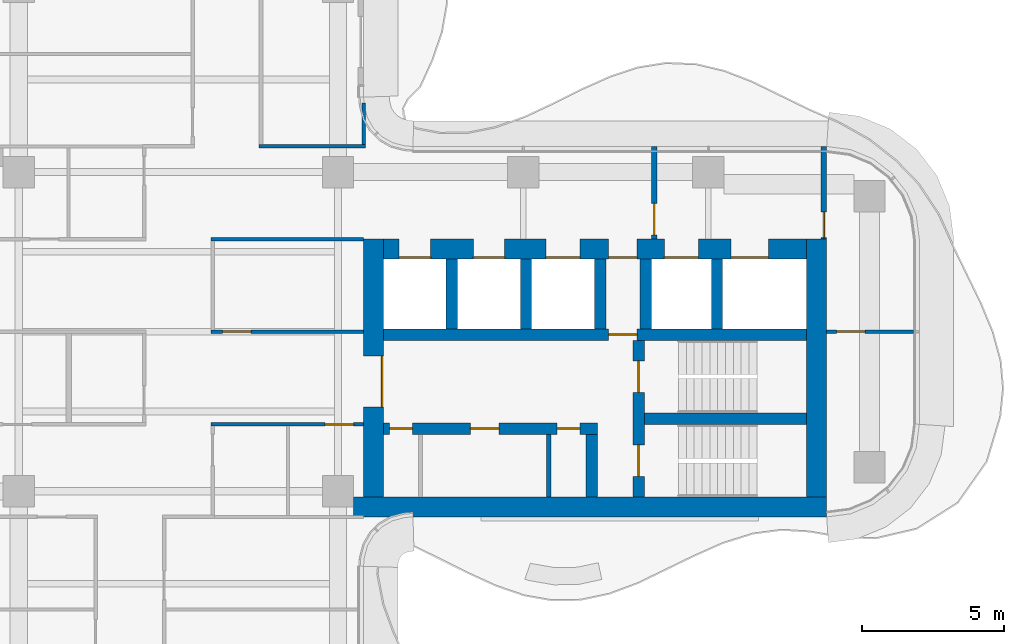
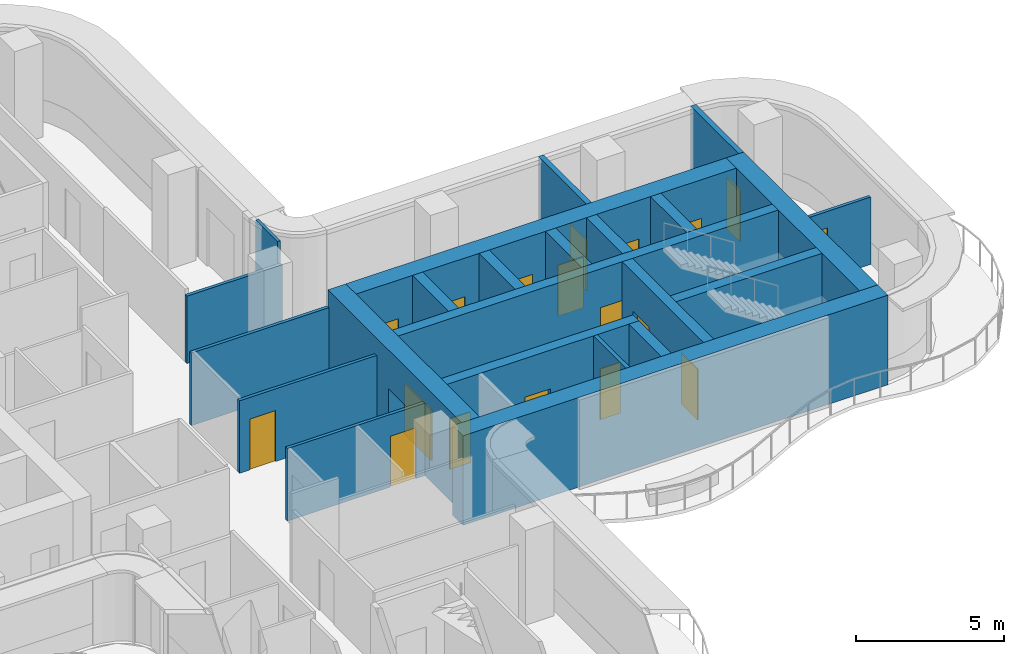
# One storey, part 13 of 16: 23 walls, 18 doors, 18 openings.
"""IFC4 building model written with IfcOpenShell, lengths in metres."""

from ifc_helpers import new_model, si_unit, direction, frame, frame_2d, origin, place, context, subcontext, project, spatial, rectangle, extrude, source, transform, mapped, material, layer, layer_set, type_object, element, fill, save


model = new_model("IFC4")

# Units and contexts
model_context = context("Model", 3, precision=1e-05, world=origin(), true_north=direction((0.0, 1.0)))
body_context = subcontext(model_context, "Body", "Model", "MODEL_VIEW")
ifc_project = project(units=[si_unit("LENGTHUNIT", "METRE"), si_unit("AREAUNIT", "SQUARE_METRE"), si_unit("VOLUMEUNIT", "CUBIC_METRE"), si_unit("PLANEANGLEUNIT", "RADIAN"), si_unit("MASSUNIT", "GRAM", prefix="KILO")], contexts=[model_context])

# Site, building, storey
site_placement = place(None, origin())
site = spatial("IfcSite", under=ifc_project, at=site_placement, CompositionType="ELEMENT")
building_placement = place(site_placement, origin())
building = spatial("IfcBuilding", under=site, at=building_placement, Name="Trellis Farm Tower", CompositionType="ELEMENT")
storey_placement = place(building_placement, frame((0.0, 0.0, 255.800048828125)))
storey = spatial("IfcBuildingStorey", under=building, at=storey_placement, Name="L57", CompositionType="ELEMENT", Elevation=255.800048828125)

# Wall, opening, door
ifc_material_1 = material(Name="Concrete C60/75", Category="concrete")
ifc_layer_1 = layer(ifc_material_1, 0.699951171875)
ifc_layer_set_1 = layer_set([ifc_layer_1], Name="CORE OUTER WALL 700 CONCRETE C60/75")
wall_type_1 = type_object("IfcWallType", Name="CORE OUTER WALL 700 CONCRETE C60/75", PredefinedType="SHEAR", material=ifc_layer_set_1)
shared_shape_1 = source(origin(), body_context, "Body", "SweptSolid", [
    extrude(rectangle(XDim=9.050048828125, YDim=0.699951171875, at=frame_2d((4.52490234375, 0.0))), origin(), (0.0, 0.0, 1.0), 3.699951171875),
])
wall_1_placement = place(storey_placement, frame((6.85009765625, -5.800048828125, 0.0), z_axis=(0.0, 0.0, 1.0), x_axis=(0.0, 1.0, 0.0)))
wall_1 = element("IfcWall", 1, at=wall_1_placement, inside=storey, type_object=wall_type_1, Name="Core wall", PredefinedType="SHEAR", context=body_context, shape_type="MappedRepresentation", body=[
    mapped(shared_shape_1, transform((0.0, 0.0, 0.0))),
])
shared_shape_2 = source(origin(), body_context, "Body", "SweptSolid", [
    extrude(rectangle(XDim=1.800048828125, YDim=2.10009765625, at=frame_2d((0.89990234375, 1.050048828125))), frame((0.0, 0.360107421875, 0.0), z_axis=(0.0, -1.0, 0.0), x_axis=(1.0, 0.0, 0.0)), (0.0, 0.0, 1.0), 0.72021484375),
])
opening_1_placement = place(wall_1_placement, frame((3.14990234375, 0.0, 0.0)))
opening_1 = element("IfcOpeningElement", 2, at=opening_1_placement, cuts=wall_1, Name="Opening DC1", PredefinedType="OPENING", context=body_context, shape_type="MappedRepresentation", body=[
    mapped(shared_shape_2, transform((0.0, 0.0, 0.0))),
])
ifc_material_2 = material(Name="Steel", Category="steel")
door_type_1 = type_object("IfcDoorType", Name="CORE FIRE DOOR DOUBLE 1800 X 2100", OperationType="DOUBLE_DOOR_SINGLE_SWING", PredefinedType="DOOR", material=ifc_material_2)
shared_shape_3 = source(origin(), body_context, "Body", "SweptSolid", [
    extrude(rectangle(XDim=1.800048828125, YDim=2.10009765625, at=frame_2d((0.89990234375, 1.050048828125))), frame((0.0, -0.27490234375, 0.0), z_axis=(0.0, -1.0, 0.0), x_axis=(1.0, 0.0, 0.0)), (0.0, 0.0, 1.0), 0.050048828125),
])
door_1_placement = place(opening_1_placement, origin())
door_1 = element("IfcDoor", 3, at=door_1_placement, inside=storey, type_object=door_type_1, Name="Core door", OperationType="DOUBLE_DOOR_SINGLE_SWING", OverallHeight=2.10009765625, OverallWidth=1.800048828125, PredefinedType="DOOR", context=body_context, shape_type="MappedRepresentation", body=[
    mapped(shared_shape_3, transform((0.0, 0.0, 0.0))),
])
fill(opening_1, door_1)

# Walls
wall_2_placement = place(storey_placement, frame((22.39990234375, -5.800048828125, 0.0), z_axis=(0.0, 0.0, 1.0), x_axis=(0.0, 1.0, 0.0)))
element("IfcWall", 4, at=wall_2_placement, inside=storey, type_object=wall_type_1, Name="Core wall", PredefinedType="SHEAR", context=body_context, shape_type="MappedRepresentation", body=[
    mapped(shared_shape_1, transform((0.0, 0.0, 0.0))),
])
ifc_layer_2 = layer(ifc_material_1, 0.39990234375)
ifc_layer_set_2 = layer_set([ifc_layer_2], Name="CORE INNER WALL 400 CONCRETE C60/75")
wall_type_2 = type_object("IfcWallType", Name="CORE INNER WALL 400 CONCRETE C60/75", PredefinedType="SHEAR", material=ifc_layer_set_2)
shared_shape_4 = source(origin(), body_context, "Body", "SweptSolid", [
    extrude(rectangle(XDim=2.449951171875, YDim=0.39990234375, at=frame_2d((1.22509765625, 0.0))), origin(), (0.0, 0.0, 1.0), 3.699951171875),
])
for number, where, z_axis, x_axis, name in (
    (5, (9.60009765625, 0.10009765625, 0.0), (0.0, 0.0, 1.0), (0.0, 1.0, 0.0), "Core wall"),
    (6, (12.199951171875, 0.10009765625, 0.0), (0.0, 0.0, 1.0), (0.0, 1.0, 0.0), "Core wall"),
    (7, (14.800048828125, 0.10009765625, 0.0), (0.0, 0.0, 1.0), (0.0, 1.0, 0.0), "Core wall"),
    (8, (16.39990234375, 0.10009765625, 0.0), (0.0, 0.0, 1.0), (0.0, 1.0, 0.0), "Core wall"),
    (9, (18.89990234375, 0.10009765625, 0.0), (0.0, 0.0, 1.0), (0.0, 1.0, 0.0), "Core wall"),
):
    element("IfcWall", number, at=place(storey_placement, frame(where, z_axis=z_axis, x_axis=x_axis)), inside=storey, type_object=wall_type_2, Name=name, PredefinedType="SHEAR", context=body_context, shape_type="MappedRepresentation", body=[
        mapped(shared_shape_4, transform((0.0, 0.0, 0.0))),
    ])

# Wall, opening, door
ifc_material_3 = material(Name="Masonry blockwork", Category="masonry")
ifc_layer_3 = layer(ifc_material_3, 0.199951171875)
ifc_layer_set_3 = layer_set([ifc_layer_3], Name="FIRE LOBBY PARTITION 200 BLOCKWORK")
wall_type_3 = type_object("IfcWallType", Name="FIRE LOBBY PARTITION 200 BLOCKWORK", PredefinedType="PARTITIONING", material=ifc_layer_set_3)
shared_shape_5 = source(origin(), body_context, "Body", "SweptSolid", [
    extrude(rectangle(XDim=3.25, YDim=0.199951171875, at=frame_2d((1.625, 0.0))), origin(), (0.0, 0.0, 1.0), 3.699951171875),
])
wall_3_placement = place(storey_placement, frame((16.699951171875, 3.25, 0.0), z_axis=(0.0, 0.0, 1.0), x_axis=(0.0, 1.0, 0.0)))
wall_3 = element("IfcWall", 10, at=wall_3_placement, inside=storey, type_object=wall_type_3, Name="Fire-fighting lobby partition", PredefinedType="PARTITIONING", context=body_context, shape_type="MappedRepresentation", body=[
    mapped(shared_shape_5, transform((0.0, 0.0, 0.0))),
])
shared_shape_6 = source(origin(), body_context, "Body", "SweptSolid", [
    extrude(rectangle(XDim=1.10009765625, YDim=2.10009765625, at=frame_2d((0.550048828125, 1.050048828125))), frame((0.0, 0.110107421875, 0.0), z_axis=(0.0, -1.0, 0.0), x_axis=(1.0, 0.0, 0.0)), (0.0, 0.0, 1.0), 0.22021484375),
])
opening_2_placement = place(wall_3_placement, frame((0.14990234375, 0.0, 0.0)))
opening_2 = element("IfcOpeningElement", 11, at=opening_2_placement, cuts=wall_3, Name="Opening DC7", PredefinedType="OPENING", context=body_context, shape_type="MappedRepresentation", body=[
    mapped(shared_shape_6, transform((0.0, 0.0, 0.0))),
])
door_type_2 = type_object("IfcDoorType", Name="CORE FIRE DOOR 1100 X 2100", OperationType="NOTDEFINED", PredefinedType="DOOR", material=ifc_material_2)
shared_shape_7 = source(origin(), body_context, "Body", "SweptSolid", [
    extrude(rectangle(XDim=1.10009765625, YDim=2.10009765625, at=frame_2d((0.550048828125, 1.050048828125))), frame((0.0, 0.02490234375, 0.0), z_axis=(0.0, -1.0, 0.0), x_axis=(1.0, 0.0, 0.0)), (0.0, 0.0, 1.0), 0.050048828125),
])
door_2_placement = place(opening_2_placement, origin())
door_2 = element("IfcDoor", 12, at=door_2_placement, inside=storey, type_object=door_type_2, Name="Core door", OperationType="SINGLE_SWING_RIGHT", OverallHeight=2.10009765625, OverallWidth=1.10009765625, PredefinedType="DOOR", context=body_context, shape_type="MappedRepresentation", body=[
    mapped(shared_shape_7, transform((0.0, 0.0, 0.0))),
])
fill(opening_2, door_2)

wall_4_placement = place(storey_placement, frame((22.64990234375, 3.25, 0.0), z_axis=(0.0, 0.0, 1.0), x_axis=(0.0, 1.0, 0.0)))
wall_4 = element("IfcWall", 13, at=wall_4_placement, inside=storey, type_object=wall_type_3, Name="Fire-fighting lobby partition", PredefinedType="PARTITIONING", context=body_context, shape_type="MappedRepresentation", body=[
    mapped(shared_shape_5, transform((0.0, 0.0, 0.0))),
])
shared_shape_8 = source(origin(), body_context, "Body", "SweptSolid", [
    extrude(rectangle(XDim=0.89990234375, YDim=2.10009765625, at=frame_2d((0.449951171875, 1.050048828125))), frame((0.0, 0.110107421875, 0.0), z_axis=(0.0, -1.0, 0.0), x_axis=(1.0, 0.0, 0.0)), (0.0, 0.0, 1.0), 0.22021484375),
])
opening_3_placement = place(wall_4_placement, frame((0.050048828125, 0.0, 0.0)))
opening_3 = element("IfcOpeningElement", 14, at=opening_3_placement, cuts=wall_4, Name="Opening DC8", PredefinedType="OPENING", context=body_context, shape_type="MappedRepresentation", body=[
    mapped(shared_shape_8, transform((0.0, 0.0, 0.0))),
])
door_type_3 = type_object("IfcDoorType", Name="CORE FIRE DOOR 900 X 2100", OperationType="NOTDEFINED", PredefinedType="DOOR", material=ifc_material_2)
shared_shape_9 = source(origin(), body_context, "Body", "SweptSolid", [
    extrude(rectangle(XDim=0.89990234375, YDim=2.10009765625, at=frame_2d((0.449951171875, 1.050048828125))), frame((0.0, 0.02490234375, 0.0), z_axis=(0.0, -1.0, 0.0), x_axis=(1.0, 0.0, 0.0)), (0.0, 0.0, 1.0), 0.050048828125),
])
door_3_placement = place(opening_3_placement, origin())
door_3 = element("IfcDoor", 15, at=door_3_placement, inside=storey, type_object=door_type_3, Name="Core door", OperationType="SINGLE_SWING_RIGHT", OverallHeight=2.10009765625, OverallWidth=0.89990234375, PredefinedType="DOOR", context=body_context, shape_type="MappedRepresentation", body=[
    mapped(shared_shape_9, transform((0.0, 0.0, 0.0))),
])
fill(opening_3, door_3)

# Wall, openings, doors
shared_shape_10 = source(origin(), body_context, "Body", "SweptSolid", [
    extrude(rectangle(XDim=14.85009765625, YDim=0.699951171875, at=frame_2d((7.425048828125, 0.0))), origin(), (0.0, 0.0, 1.0), 3.699951171875),
])
wall_5_placement = place(storey_placement, frame((7.199951171875, 2.89990234375, 0.0), z_axis=(0.0, 0.0, 1.0), x_axis=(1.0, 0.0, 0.0)))
wall_5 = element("IfcWall", 16, at=wall_5_placement, inside=storey, type_object=wall_type_1, Name="Core wall", PredefinedType="SHEAR", context=body_context, shape_type="MappedRepresentation", body=[
    mapped(shared_shape_10, transform((0.0, 0.0, 0.0))),
])
shared_shape_11 = source(origin(), body_context, "Body", "SweptSolid", [
    extrude(rectangle(XDim=1.10009765625, YDim=2.10009765625, at=frame_2d((0.550048828125, 1.050048828125))), frame((0.0, 0.360107421875, 0.0), z_axis=(0.0, -1.0, 0.0), x_axis=(1.0, 0.0, 0.0)), (0.0, 0.0, 1.0), 0.72021484375),
])
opening_4_placement = place(wall_5_placement, frame((0.550048828125, 0.0, 0.0)))
opening_4 = element("IfcOpeningElement", 17, at=opening_4_placement, cuts=wall_5, Name="Opening LD4", PredefinedType="OPENING", context=body_context, shape_type="MappedRepresentation", body=[
    mapped(shared_shape_11, transform((0.0, 0.0, 0.0))),
])
opening_5_placement = place(wall_5_placement, frame((3.14990234375, 0.0, 0.0)))
opening_5 = element("IfcOpeningElement", 18, at=opening_5_placement, cuts=wall_5, Name="Opening LD5", PredefinedType="OPENING", context=body_context, shape_type="MappedRepresentation", body=[
    mapped(shared_shape_11, transform((0.0, 0.0, 0.0))),
])
shared_shape_12 = source(origin(), body_context, "Body", "SweptSolid", [
    extrude(rectangle(XDim=1.199951171875, YDim=2.10009765625, at=frame_2d((0.60009765625, 1.050048828125))), frame((0.0, 0.360107421875, 0.0), z_axis=(0.0, -1.0, 0.0), x_axis=(1.0, 0.0, 0.0)), (0.0, 0.0, 1.0), 0.72021484375),
])
opening_6_placement = place(wall_5_placement, frame((5.699951171875, 0.0, 0.0)))
opening_6 = element("IfcOpeningElement", 19, at=opening_6_placement, cuts=wall_5, Name="Opening LD6", PredefinedType="OPENING", context=body_context, shape_type="MappedRepresentation", body=[
    mapped(shared_shape_12, transform((0.0, 0.0, 0.0))),
])
shared_shape_13 = source(origin(), body_context, "Body", "SweptSolid", [
    extrude(rectangle(XDim=1.300048828125, YDim=2.10009765625, at=frame_2d((0.64990234375, 1.050048828125))), frame((0.0, 0.360107421875, 0.0), z_axis=(0.0, -1.0, 0.0), x_axis=(1.0, 0.0, 0.0)), (0.0, 0.0, 1.0), 0.72021484375),
])
opening_7_placement = place(wall_5_placement, frame((12.199951171875, 0.0, 0.0)))
opening_7 = element("IfcOpeningElement", 20, at=opening_7_placement, cuts=wall_5, Name="Opening LD7", PredefinedType="OPENING", context=body_context, shape_type="MappedRepresentation", body=[
    mapped(shared_shape_13, transform((0.0, 0.0, 0.0))),
])
opening_8_placement = place(wall_5_placement, frame((9.85009765625, 0.0, 0.0)))
opening_8 = element("IfcOpeningElement", 21, at=opening_8_placement, cuts=wall_5, Name="Opening LD8", PredefinedType="OPENING", context=body_context, shape_type="MappedRepresentation", body=[
    mapped(shared_shape_12, transform((0.0, 0.0, 0.0))),
])
shared_shape_14 = source(origin(), body_context, "Body", "SweptSolid", [
    extrude(rectangle(XDim=1.0, YDim=2.10009765625, at=frame_2d((0.5, 1.050048828125))), frame((0.0, 0.360107421875, 0.0), z_axis=(0.0, -1.0, 0.0), x_axis=(1.0, 0.0, 0.0)), (0.0, 0.0, 1.0), 0.72021484375),
])
opening_9_placement = place(wall_5_placement, frame((7.89990234375, 0.0, 0.0)))
opening_9 = element("IfcOpeningElement", 22, at=opening_9_placement, cuts=wall_5, Name="Opening DC6", PredefinedType="OPENING", context=body_context, shape_type="MappedRepresentation", body=[
    mapped(shared_shape_14, transform((0.0, 0.0, 0.0))),
])
door_type_4 = type_object("IfcDoorType", Name="CORE FIRE DOOR 1000 X 2100", OperationType="NOTDEFINED", PredefinedType="DOOR", material=ifc_material_2)
shared_shape_15 = source(origin(), body_context, "Body", "SweptSolid", [
    extrude(rectangle(XDim=1.0, YDim=2.10009765625, at=frame_2d((0.5, 1.050048828125))), frame((0.0, -0.27490234375, 0.0), z_axis=(0.0, -1.0, 0.0), x_axis=(1.0, 0.0, 0.0)), (0.0, 0.0, 1.0), 0.050048828125),
])
door_4_placement = place(opening_9_placement, origin())
door_4 = element("IfcDoor", 23, at=door_4_placement, inside=storey, type_object=door_type_4, Name="Core door", OperationType="SINGLE_SWING_LEFT", OverallHeight=2.10009765625, OverallWidth=1.0, PredefinedType="DOOR", context=body_context, shape_type="MappedRepresentation", body=[
    mapped(shared_shape_15, transform((0.0, 0.0, 0.0))),
])
fill(opening_9, door_4)
ifc_material_4 = material(Name="Stainless steel", Category="steel")
door_type_5 = type_object("IfcDoorType", Name="LIFT LANDING DOOR 1300 X 2100", OperationType="DOUBLE_DOOR_SLIDING", PredefinedType="DOOR", material=ifc_material_4)
shared_shape_16 = source(origin(), body_context, "Body", "SweptSolid", [
    extrude(rectangle(XDim=1.300048828125, YDim=2.10009765625, at=frame_2d((0.64990234375, 1.050048828125))), frame((0.0, -0.27490234375, 0.0), z_axis=(0.0, -1.0, 0.0), x_axis=(1.0, 0.0, 0.0)), (0.0, 0.0, 1.0), 0.050048828125),
])
door_5_placement = place(opening_7_placement, origin())
door_5 = element("IfcDoor", 24, at=door_5_placement, inside=storey, type_object=door_type_5, Name="Lift landing door", OperationType="DOUBLE_DOOR_SLIDING", OverallHeight=2.10009765625, OverallWidth=1.300048828125, PredefinedType="DOOR", context=body_context, shape_type="MappedRepresentation", body=[
    mapped(shared_shape_16, transform((0.0, 0.0, 0.0))),
])
fill(opening_7, door_5)
door_type_6 = type_object("IfcDoorType", Name="LIFT LANDING DOOR 1200 X 2100", OperationType="DOUBLE_DOOR_SLIDING", PredefinedType="DOOR", material=ifc_material_4)
shared_shape_17 = source(origin(), body_context, "Body", "SweptSolid", [
    extrude(rectangle(XDim=1.199951171875, YDim=2.10009765625, at=frame_2d((0.60009765625, 1.050048828125))), frame((0.0, -0.27490234375, 0.0), z_axis=(0.0, -1.0, 0.0), x_axis=(1.0, 0.0, 0.0)), (0.0, 0.0, 1.0), 0.050048828125),
])
door_6_placement = place(opening_6_placement, origin())
door_6 = element("IfcDoor", 25, at=door_6_placement, inside=storey, type_object=door_type_6, Name="Lift landing door", OperationType="DOUBLE_DOOR_SLIDING", OverallHeight=2.10009765625, OverallWidth=1.199951171875, PredefinedType="DOOR", context=body_context, shape_type="MappedRepresentation", body=[
    mapped(shared_shape_17, transform((0.0, 0.0, 0.0))),
])
fill(opening_6, door_6)
door_7_placement = place(opening_8_placement, origin())
door_7 = element("IfcDoor", 26, at=door_7_placement, inside=storey, type_object=door_type_6, Name="Lift landing door", OperationType="DOUBLE_DOOR_SLIDING", OverallHeight=2.10009765625, OverallWidth=1.199951171875, PredefinedType="DOOR", context=body_context, shape_type="MappedRepresentation", body=[
    mapped(shared_shape_17, transform((0.0, 0.0, 0.0))),
])
fill(opening_8, door_7)
door_type_7 = type_object("IfcDoorType", Name="LIFT LANDING DOOR 1100 X 2100", OperationType="DOUBLE_DOOR_SLIDING", PredefinedType="DOOR", material=ifc_material_4)
shared_shape_18 = source(origin(), body_context, "Body", "SweptSolid", [
    extrude(rectangle(XDim=1.10009765625, YDim=2.10009765625, at=frame_2d((0.550048828125, 1.050048828125))), frame((0.0, -0.27490234375, 0.0), z_axis=(0.0, -1.0, 0.0), x_axis=(1.0, 0.0, 0.0)), (0.0, 0.0, 1.0), 0.050048828125),
])
door_8_placement = place(opening_4_placement, origin())
door_8 = element("IfcDoor", 27, at=door_8_placement, inside=storey, type_object=door_type_7, Name="Lift landing door", OperationType="DOUBLE_DOOR_SLIDING", OverallHeight=2.10009765625, OverallWidth=1.10009765625, PredefinedType="DOOR", context=body_context, shape_type="MappedRepresentation", body=[
    mapped(shared_shape_18, transform((0.0, 0.0, 0.0))),
])
fill(opening_4, door_8)
door_9_placement = place(opening_5_placement, origin())
door_9 = element("IfcDoor", 28, at=door_9_placement, inside=storey, type_object=door_type_7, Name="Lift landing door", OperationType="DOUBLE_DOOR_SLIDING", OverallHeight=2.10009765625, OverallWidth=1.10009765625, PredefinedType="DOOR", context=body_context, shape_type="MappedRepresentation", body=[
    mapped(shared_shape_18, transform((0.0, 0.0, 0.0))),
])
fill(opening_5, door_9)

shared_shape_19 = source(origin(), body_context, "Body", "SweptSolid", [
    extrude(rectangle(XDim=7.5, YDim=0.39990234375, at=frame_2d((3.75, 0.0))), origin(), (0.0, 0.0, 1.0), 3.699951171875),
])
wall_6_placement = place(storey_placement, frame((7.199951171875, -3.39990234375, 0.0), z_axis=(0.0, 0.0, 1.0), x_axis=(1.0, 0.0, 0.0)))
wall_6 = element("IfcWall", 29, at=wall_6_placement, inside=storey, type_object=wall_type_2, Name="Core wall", PredefinedType="SHEAR", context=body_context, shape_type="MappedRepresentation", body=[
    mapped(shared_shape_19, transform((0.0, 0.0, 0.0))),
])
shared_shape_20 = source(origin(), body_context, "Body", "SweptSolid", [
    extrude(rectangle(XDim=0.800048828125, YDim=2.10009765625, at=frame_2d((0.39990234375, 1.050048828125))), frame((0.0, 0.2099609375, 0.0), z_axis=(0.0, -1.0, 0.0), x_axis=(1.0, 0.0, 0.0)), (0.0, 0.0, 1.0), 0.419921875),
])
opening_10_placement = place(wall_6_placement, frame((0.21240234375, 0.0, 0.0)))
opening_10 = element("IfcOpeningElement", 30, at=opening_10_placement, cuts=wall_6, Name="Opening DC51", PredefinedType="OPENING", context=body_context, shape_type="MappedRepresentation", body=[
    mapped(shared_shape_20, transform((0.0, 0.0, 0.0))),
])
shared_shape_21 = source(origin(), body_context, "Body", "SweptSolid", [
    extrude(rectangle(XDim=1.0, YDim=2.10009765625, at=frame_2d((0.5, 1.050048828125))), frame((0.0, 0.2099609375, 0.0), z_axis=(0.0, -1.0, 0.0), x_axis=(1.0, 0.0, 0.0)), (0.0, 0.0, 1.0), 0.419921875),
])
opening_11_placement = place(wall_6_placement, frame((3.050048828125, 0.0, 0.0)))
opening_11 = element("IfcOpeningElement", 31, at=opening_11_placement, cuts=wall_6, Name="Opening DC62", PredefinedType="OPENING", context=body_context, shape_type="MappedRepresentation", body=[
    mapped(shared_shape_21, transform((0.0, 0.0, 0.0))),
])
opening_12_placement = place(wall_6_placement, frame((6.08740234375, 0.0, 0.0)))
opening_12 = element("IfcOpeningElement", 32, at=opening_12_placement, cuts=wall_6, Name="Opening DC63", PredefinedType="OPENING", context=body_context, shape_type="MappedRepresentation", body=[
    mapped(shared_shape_20, transform((0.0, 0.0, 0.0))),
])
shared_shape_22 = source(origin(), body_context, "Body", "SweptSolid", [
    extrude(rectangle(XDim=1.0, YDim=2.10009765625, at=frame_2d((0.5, 1.050048828125))), frame((0.0, 0.02490234375, 0.0), z_axis=(0.0, -1.0, 0.0), x_axis=(1.0, 0.0, 0.0)), (0.0, 0.0, 1.0), 0.050048828125),
])
door_10_placement = place(opening_11_placement, origin())
door_10 = element("IfcDoor", 33, at=door_10_placement, inside=storey, type_object=door_type_4, Name="Core door", OperationType="SINGLE_SWING_RIGHT", OverallHeight=2.10009765625, OverallWidth=1.0, PredefinedType="DOOR", context=body_context, shape_type="MappedRepresentation", body=[
    mapped(shared_shape_22, transform((0.0, 0.0, 0.0))),
])
fill(opening_11, door_10)
door_type_8 = type_object("IfcDoorType", Name="CORE FIRE DOOR 800 X 2100", OperationType="NOTDEFINED", PredefinedType="DOOR", material=ifc_material_2)
shared_shape_23 = source(origin(), body_context, "Body", "SweptSolid", [
    extrude(rectangle(XDim=0.800048828125, YDim=2.10009765625, at=frame_2d((0.39990234375, 1.050048828125))), frame((0.0, 0.02490234375, 0.0), z_axis=(0.0, -1.0, 0.0), x_axis=(1.0, 0.0, 0.0)), (0.0, 0.0, 1.0), 0.050048828125),
])
door_11_placement = place(opening_10_placement, origin())
door_11 = element("IfcDoor", 34, at=door_11_placement, inside=storey, type_object=door_type_8, Name="Core door", OperationType="SINGLE_SWING_LEFT", OverallHeight=2.10009765625, OverallWidth=0.800048828125, PredefinedType="DOOR", context=body_context, shape_type="MappedRepresentation", body=[
    mapped(shared_shape_23, transform((0.0, 0.0, 0.0))),
])
fill(opening_10, door_11)
door_12_placement = place(opening_12_placement, origin())
door_12 = element("IfcDoor", 35, at=door_12_placement, inside=storey, type_object=door_type_8, Name="Core door", OperationType="SINGLE_SWING_LEFT", OverallHeight=2.10009765625, OverallWidth=0.800048828125, PredefinedType="DOOR", context=body_context, shape_type="MappedRepresentation", body=[
    mapped(shared_shape_23, transform((0.0, 0.0, 0.0))),
])
fill(opening_12, door_12)

# Wall, opening, door
shared_shape_24 = source(origin(), body_context, "Body", "SweptSolid", [
    extrude(rectangle(XDim=14.85009765625, YDim=0.39990234375, at=frame_2d((7.425048828125, 0.0))), origin(), (0.0, 0.0, 1.0), 3.699951171875),
])
wall_7_placement = place(storey_placement, frame((7.199951171875, -0.10009765625, 0.0), z_axis=(0.0, 0.0, 1.0), x_axis=(1.0, 0.0, 0.0)))
wall_7 = element("IfcWall", 36, at=wall_7_placement, inside=storey, type_object=wall_type_2, Name="Core wall", PredefinedType="SHEAR", context=body_context, shape_type="MappedRepresentation", body=[
    mapped(shared_shape_24, transform((0.0, 0.0, 0.0))),
])
opening_13_placement = place(wall_7_placement, frame((7.89990234375, 0.0, 0.0)))
opening_13 = element("IfcOpeningElement", 37, at=opening_13_placement, cuts=wall_7, Name="Opening DC5", PredefinedType="OPENING", context=body_context, shape_type="MappedRepresentation", body=[
    mapped(shared_shape_21, transform((0.0, 0.0, 0.0))),
])
door_13_placement = place(opening_13_placement, origin())
door_13 = element("IfcDoor", 38, at=door_13_placement, inside=storey, type_object=door_type_4, Name="Core door", OperationType="SINGLE_SWING_RIGHT", OverallHeight=2.10009765625, OverallWidth=1.0, PredefinedType="DOOR", context=body_context, shape_type="MappedRepresentation", body=[
    mapped(shared_shape_22, transform((0.0, 0.0, 0.0))),
])
fill(opening_13, door_13)

# Wall, openings, doors
shared_shape_25 = source(origin(), body_context, "Body", "SweptSolid", [
    extrude(rectangle(XDim=5.5, YDim=0.39990234375, at=frame_2d((2.75, 0.0))), origin(), (0.0, 0.0, 1.0), 3.699951171875),
])
wall_8_placement = place(storey_placement, frame((16.14990234375, -5.800048828125, 0.0), z_axis=(0.0, 0.0, 1.0), x_axis=(0.0, 1.0, 0.0)))
wall_8 = element("IfcWall", 39, at=wall_8_placement, inside=storey, type_object=wall_type_2, Name="Core wall", PredefinedType="SHEAR", context=body_context, shape_type="MappedRepresentation", body=[
    mapped(shared_shape_25, transform((0.0, 0.0, 0.0))),
])
shared_shape_26 = source(origin(), body_context, "Body", "SweptSolid", [
    extrude(rectangle(XDim=1.10009765625, YDim=2.10009765625, at=frame_2d((0.550048828125, 1.050048828125))), frame((0.0, 0.2099609375, 0.0), z_axis=(0.0, -1.0, 0.0), x_axis=(1.0, 0.0, 0.0)), (0.0, 0.0, 1.0), 0.419921875),
])
opening_14_placement = place(wall_8_placement, frame((0.72509765625, 0.0, 0.0)))
opening_14 = element("IfcOpeningElement", 40, at=opening_14_placement, cuts=wall_8, Name="Opening DC2", PredefinedType="OPENING", context=body_context, shape_type="MappedRepresentation", body=[
    mapped(shared_shape_26, transform((0.0, 0.0, 0.0))),
])
opening_15_placement = place(wall_8_placement, frame((3.675048828125, 0.0, 0.0)))
opening_15 = element("IfcOpeningElement", 41, at=opening_15_placement, cuts=wall_8, Name="Opening DC3", PredefinedType="OPENING", context=body_context, shape_type="MappedRepresentation", body=[
    mapped(shared_shape_26, transform((0.0, 0.0, 0.0))),
])
door_14_placement = place(opening_14_placement, origin())
door_14 = element("IfcDoor", 42, at=door_14_placement, inside=storey, type_object=door_type_2, Name="Core door", OperationType="SINGLE_SWING_RIGHT", OverallHeight=2.10009765625, OverallWidth=1.10009765625, PredefinedType="DOOR", context=body_context, shape_type="MappedRepresentation", body=[
    mapped(shared_shape_7, transform((0.0, 0.0, 0.0))),
])
fill(opening_14, door_14)
door_15_placement = place(opening_15_placement, origin())
door_15 = element("IfcDoor", 43, at=door_15_placement, inside=storey, type_object=door_type_2, Name="Core door", OperationType="SINGLE_SWING_LEFT", OverallHeight=2.10009765625, OverallWidth=1.10009765625, PredefinedType="DOOR", context=body_context, shape_type="MappedRepresentation", body=[
    mapped(shared_shape_7, transform((0.0, 0.0, 0.0))),
])
fill(opening_15, door_15)

# Walls
shared_shape_27 = source(origin(), body_context, "Body", "SweptSolid", [
    extrude(rectangle(XDim=5.699951171875, YDim=0.39990234375, at=frame_2d((2.85009765625, 0.0))), origin(), (0.0, 0.0, 1.0), 3.699951171875),
])
wall_9_placement = place(storey_placement, frame((16.35009765625, -3.050048828125, 0.0), z_axis=(0.0, 0.0, 1.0), x_axis=(1.0, 0.0, 0.0)))
element("IfcWall", 44, at=wall_9_placement, inside=storey, type_object=wall_type_2, Name="Core wall", PredefinedType="SHEAR", context=body_context, shape_type="MappedRepresentation", body=[
    mapped(shared_shape_27, transform((0.0, 0.0, 0.0))),
])
shared_shape_28 = source(origin(), body_context, "Body", "SweptSolid", [
    extrude(rectangle(XDim=2.199951171875, YDim=0.39990234375, at=frame_2d((1.10009765625, 0.0))), origin(), (0.0, 0.0, 1.0), 3.699951171875),
])
wall_10_placement = place(storey_placement, frame((14.5, -5.800048828125, 0.0), z_axis=(0.0, 0.0, 1.0), x_axis=(0.0, 1.0, 0.0)))
element("IfcWall", 45, at=wall_10_placement, inside=storey, type_object=wall_type_2, Name="Core wall", PredefinedType="SHEAR", context=body_context, shape_type="MappedRepresentation", body=[
    mapped(shared_shape_28, transform((0.0, 0.0, 0.0))),
])
ifc_layer_4 = layer(ifc_material_3, 0.14990234375)
ifc_layer_set_4 = layer_set([ifc_layer_4], Name="CORE PARTITION 150 BLOCKWORK")
wall_type_4 = type_object("IfcWallType", Name="CORE PARTITION 150 BLOCKWORK", PredefinedType="PARTITIONING", material=ifc_layer_set_4)
shared_shape_29 = source(origin(), body_context, "Body", "SweptSolid", [
    extrude(rectangle(XDim=2.199951171875, YDim=0.14990234375, at=frame_2d((1.10009765625, 0.0))), origin(), (0.0, 0.0, 1.0), 3.699951171875),
])
wall_11_placement = place(storey_placement, frame((13.0, -5.800048828125, 0.0), z_axis=(0.0, 0.0, 1.0), x_axis=(0.0, 1.0, 0.0)))
element("IfcWall", 46, at=wall_11_placement, inside=storey, type_object=wall_type_4, Name="Core room partition", PredefinedType="PARTITIONING", context=body_context, shape_type="MappedRepresentation", body=[
    mapped(shared_shape_29, transform((0.0, 0.0, 0.0))),
])
shared_shape_30 = source(origin(), body_context, "Body", "SweptSolid", [
    extrude(rectangle(XDim=16.60009765625, YDim=0.699951171875, at=frame_2d((8.300048828125, 0.0))), origin(), (0.0, 0.0, 1.0), 3.699951171875),
])
wall_12_placement = place(storey_placement, frame((6.14990234375, -6.14990234375, 0.0), z_axis=(0.0, 0.0, 1.0), x_axis=(1.0, 0.0, 0.0)))
element("IfcWall", 47, at=wall_12_placement, inside=storey, type_object=wall_type_1, Name="Core wall", PredefinedType="SHEAR", context=body_context, shape_type="MappedRepresentation", body=[
    mapped(shared_shape_30, transform((0.0, 0.0, 0.0))),
])
ifc_material_5 = material(Name="Plasterboard on steel studs, mineral wool", Category="steel")
ifc_layer_5 = layer(ifc_material_5, 0.125)
ifc_layer_set_5 = layer_set([ifc_layer_5], Name="PARTITION 125 STUD EI 60")
wall_type_5 = type_object("IfcWallType", Name="PARTITION 125 STUD EI 60", PredefinedType="PARTITIONING", material=ifc_layer_set_5)
shared_shape_31 = source(origin(), body_context, "Body", "SweptSolid", [
    extrude(rectangle(XDim=1.468994140625, YDim=0.125, at=frame_2d((0.734375, 0.0))), origin(), (0.0, 0.0, 1.0), 3.699951171875),
])
wall_13_placement = place(storey_placement, frame((6.5, 6.5625, 0.0), z_axis=(0.0, 0.0, 1.0), x_axis=(0.0, 1.0, 0.0)))
element("IfcWall", 48, at=wall_13_placement, inside=storey, type_object=wall_type_5, Name="Partition PW1", PredefinedType="PARTITIONING", context=body_context, shape_type="MappedRepresentation", body=[
    mapped(shared_shape_31, transform((0.0, 0.0, 0.0))),
])

# Wall, opening, door
shared_shape_32 = source(origin(), body_context, "Body", "SweptSolid", [
    extrude(rectangle(XDim=5.362548828125, YDim=0.125, at=frame_2d((2.68115234375, 0.0))), origin(), (0.0, 0.0, 1.0), 2.99658203125),
])
wall_14_placement = place(storey_placement, frame((6.5, -3.25, 0.0), z_axis=(0.0, 0.0, 1.0), x_axis=(-1.0, 0.0, 0.0)))
wall_14 = element("IfcWall", 49, at=wall_14_placement, inside=storey, type_object=wall_type_5, Name="Partition PW1", PredefinedType="PARTITIONING", context=body_context, shape_type="MappedRepresentation", body=[
    mapped(shared_shape_32, transform((0.0, 0.0, 0.0))),
])
shared_shape_33 = source(origin(), body_context, "Body", "SweptSolid", [
    extrude(rectangle(XDim=1.0, YDim=2.10009765625, at=frame_2d((0.5, 1.050048828125))), frame((0.0, 0.072509765625, 0.0), z_axis=(0.0, -1.0, 0.0), x_axis=(1.0, 0.0, 0.0)), (0.0, 0.0, 1.0), 0.14501953125),
])
opening_16_placement = place(wall_14_placement, frame((0.35009765625, 0.0, 0.0)))
opening_16 = element("IfcOpeningElement", 50, at=opening_16_placement, cuts=wall_14, Name="Opening D107", PredefinedType="OPENING", context=body_context, shape_type="MappedRepresentation", body=[
    mapped(shared_shape_33, transform((0.0, 0.0, 0.0))),
])
ifc_material_6 = material(Name="Fire-rated timber door leaf in a hollow metal frame", Category="wood")
door_type_9 = type_object("IfcDoorType", Name="DOOR 1000x2100 FD30S", OperationType="NOTDEFINED", PredefinedType="DOOR", material=ifc_material_6)
door_16_placement = place(opening_16_placement, origin())
door_16 = element("IfcDoor", 51, at=door_16_placement, inside=storey, type_object=door_type_9, Name="Door D107", OperationType="SINGLE_SWING_LEFT", OverallHeight=2.10009765625, OverallWidth=1.0, PredefinedType="DOOR", context=body_context, shape_type="MappedRepresentation", body=[
    mapped(shared_shape_22, transform((0.0, 0.0, 0.0))),
])
fill(opening_16, door_16)

wall_15_placement = place(storey_placement, frame((6.5, 0.0, 0.0), z_axis=(0.0, 0.0, 1.0), x_axis=(-1.0, 0.0, 0.0)))
wall_15 = element("IfcWall", 52, at=wall_15_placement, inside=storey, type_object=wall_type_5, Name="Partition PW1", PredefinedType="PARTITIONING", context=body_context, shape_type="MappedRepresentation", body=[
    mapped(shared_shape_32, transform((0.0, 0.0, 0.0))),
])
opening_17_placement = place(wall_15_placement, frame((3.949951171875, 0.0, 0.0)))
opening_17 = element("IfcOpeningElement", 53, at=opening_17_placement, cuts=wall_15, Name="Opening D108", PredefinedType="OPENING", context=body_context, shape_type="MappedRepresentation", body=[
    mapped(shared_shape_33, transform((0.0, 0.0, 0.0))),
])
door_17_placement = place(opening_17_placement, origin())
door_17 = element("IfcDoor", 54, at=door_17_placement, inside=storey, type_object=door_type_9, Name="Door D108", OperationType="SINGLE_SWING_RIGHT", OverallHeight=2.10009765625, OverallWidth=1.0, PredefinedType="DOOR", context=body_context, shape_type="MappedRepresentation", body=[
    mapped(shared_shape_22, transform((0.0, 0.0, 0.0))),
])
fill(opening_17, door_17)

# Walls
wall_16_placement = place(storey_placement, frame((1.137451171875, 3.25, 0.0), z_axis=(0.0, 0.0, 1.0), x_axis=(1.0, 0.0, 0.0)))
element("IfcWall", 55, at=wall_16_placement, inside=storey, type_object=wall_type_5, Name="Partition PW1", PredefinedType="PARTITIONING", context=body_context, shape_type="MappedRepresentation", body=[
    mapped(shared_shape_32, transform((0.0, 0.0, 0.0))),
])
shared_shape_34 = source(origin(), body_context, "Body", "SweptSolid", [
    extrude(rectangle(XDim=3.72509765625, YDim=0.125, at=frame_2d((1.862548828125, 0.0))), origin(), (0.0, 0.0, 1.0), 2.780029296875),
])
wall_17_placement = place(storey_placement, frame((2.83740234375, 6.5, 0.0), z_axis=(0.0, 0.0, 1.0), x_axis=(1.0, 0.0, 0.0)))
element("IfcWall", 56, at=wall_17_placement, inside=storey, type_object=wall_type_5, Name="Partition PW1", PredefinedType="PARTITIONING", context=body_context, shape_type="MappedRepresentation", body=[
    mapped(shared_shape_34, transform((0.0, 0.0, 0.0))),
])

# Wall, opening, door
shared_shape_35 = source(origin(), body_context, "Body", "SweptSolid", [
    extrude(rectangle(XDim=3.050048828125, YDim=0.125, at=frame_2d((1.52490234375, 0.0))), origin(), (0.0, 0.0, 1.0), 2.780029296875),
])
wall_18_placement = place(storey_placement, frame((25.800048828125, 0.0, 0.0), z_axis=(0.0, 0.0, 1.0), x_axis=(-1.0, 0.0, 0.0)))
wall_18 = element("IfcWall", 57, at=wall_18_placement, inside=storey, type_object=wall_type_5, Name="Partition PW1", PredefinedType="PARTITIONING", context=body_context, shape_type="MappedRepresentation", body=[
    mapped(shared_shape_35, transform((0.0, 0.0, 0.0))),
])
opening_18_placement = place(wall_18_placement, frame((1.699951171875, 0.0, 0.0)))
opening_18 = element("IfcOpeningElement", 58, at=opening_18_placement, cuts=wall_18, Name="Opening D109", PredefinedType="OPENING", context=body_context, shape_type="MappedRepresentation", body=[
    mapped(shared_shape_33, transform((0.0, 0.0, 0.0))),
])
door_18_placement = place(opening_18_placement, origin())
door_18 = element("IfcDoor", 59, at=door_18_placement, inside=storey, type_object=door_type_9, Name="Door D109", OperationType="SINGLE_SWING_RIGHT", OverallHeight=2.10009765625, OverallWidth=1.0, PredefinedType="DOOR", context=body_context, shape_type="MappedRepresentation", body=[
    mapped(shared_shape_22, transform((0.0, 0.0, 0.0))),
])
fill(opening_18, door_18)

save(model, "model.ifc")
